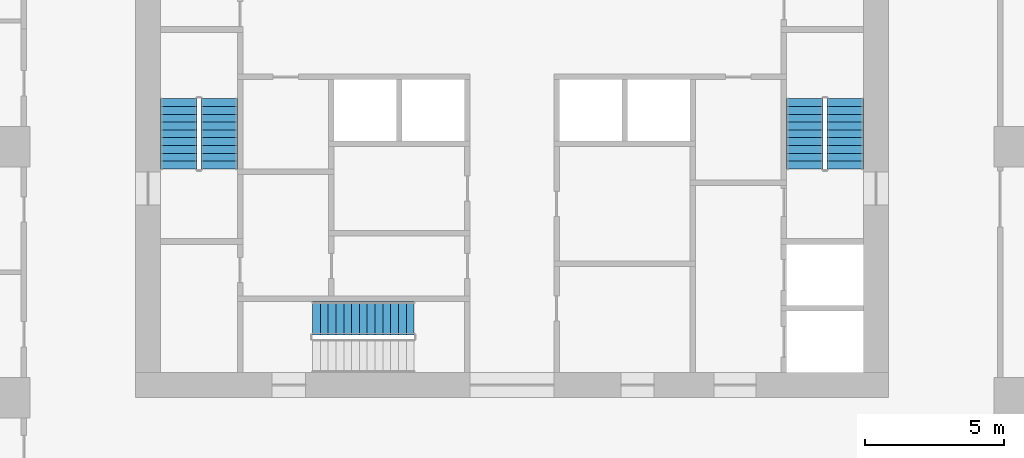
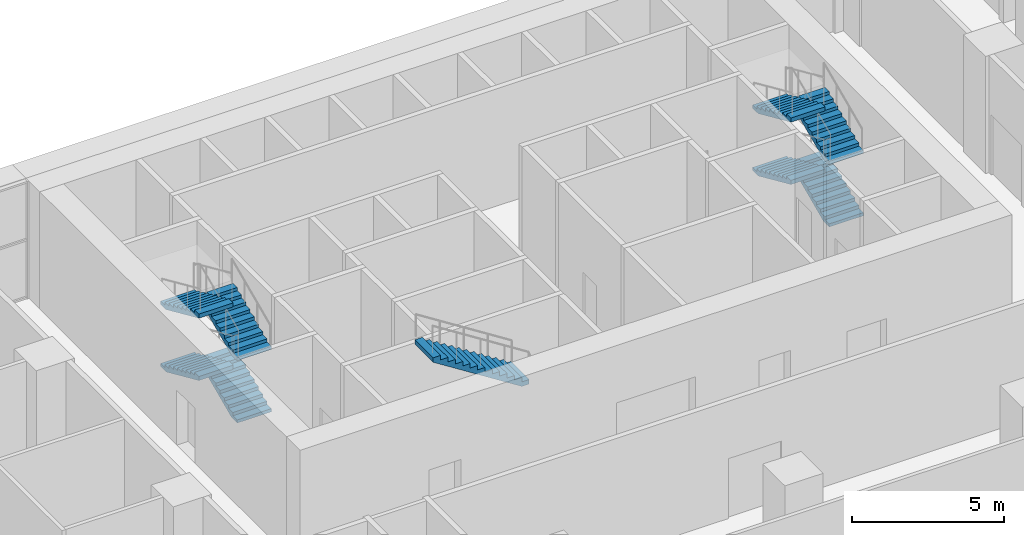
# One storey, part 10 of 18: 9 stair flights, 3 elements without a shape of their own.
"""IFC4 building model written with IfcOpenShell, lengths in metres."""

from ifc_helpers import new_model, si_unit, direction, frame, origin, place, context, subcontext, project, spatial, polyline, outline, extrude, material, type_object, element, aggregate, save


model = new_model("IFC4")

# Units and contexts
model_context = context("Model", 3, precision=1e-05, world=origin(), true_north=direction((0.0, 1.0)))
body_context = subcontext(model_context, "Body", "Model", "MODEL_VIEW")
ifc_project = project(units=[si_unit("LENGTHUNIT", "METRE"), si_unit("AREAUNIT", "SQUARE_METRE"), si_unit("VOLUMEUNIT", "CUBIC_METRE"), si_unit("PLANEANGLEUNIT", "RADIAN"), si_unit("MASSUNIT", "GRAM", prefix="KILO")], contexts=[model_context])

# Site, building, storey
site_placement = place(None, origin())
site = spatial("IfcSite", under=ifc_project, at=site_placement, CompositionType="ELEMENT")
building_placement = place(site_placement, origin())
building = spatial("IfcBuilding", under=site, at=building_placement, Name="Orbiselva Terraces", CompositionType="ELEMENT")
storey_placement = place(building_placement, frame((0.0, 0.0, 64.4)))
storey = spatial("IfcBuildingStorey", under=building, at=storey_placement, Name="L16", CompositionType="ELEMENT", Elevation=64.4)

# Stair, stair flight
ifc_material = material(Name="Concrete C40/50", Category="concrete")
stair_type_1 = type_object("IfcStairType", Name="CORE-STAIR-1200", PredefinedType="HALF_TURN_STAIR", material=ifc_material)
stair_1_placement = place(storey_placement, origin())
stair_1 = element("IfcStair", 1, at=stair_1_placement, inside=storey, type_object=stair_type_1, Name="L16 Exit Stair S3", PredefinedType="HALF_TURN_STAIR")
stair_flight_type_1 = type_object("IfcStairFlightType", Name="CORE-STAIR-FLIGHT-1200", PredefinedType="STRAIGHT", material=ifc_material)
stair_flight_1_placement = place(storey_placement, frame((-3.51, 7.35, 2.5), z_axis=(0.0, 0.0, 1.0), x_axis=(-1.0, 0.0, 0.0)))
stair_flight_1 = element("IfcStairFlight", 2, at=stair_flight_1_placement, type_object=stair_flight_type_1, Name="S3 flight 2", NumberOfRisers=14, NumberOfTreads=13, PredefinedType="STRAIGHT", RiserHeight=0.178571429, TreadLength=0.28, context=body_context, shape_type="SweptSolid", body=[
    extrude(outline(polyline([(0.0, 0.0), (0.0, 0.178571), (0.28, 0.178571), (0.28, 0.357143), (0.56, 0.357143), (0.56, 0.535714), (0.84, 0.535714), (0.84, 0.714286), (1.12, 0.714286), (1.12, 0.892857), (1.4, 0.892857), (1.4, 1.071429), (1.68, 1.071429), (1.68, 1.25), (1.96, 1.25), (1.96, 1.428571), (2.24, 1.428571), (2.24, 1.607143), (2.52, 1.607143), (2.52, 1.785714), (2.8, 1.785714), (2.8, 1.964286), (3.08, 1.964286), (3.08, 2.142857), (3.36, 2.142857), (3.36, 2.321429), (3.64, 2.321429), (3.64, 2.5), (3.64, 2.14352), (0.278961, 0.0), (0.0, 0.0)])), frame((0.0, 0.6, 0.0), z_axis=(0.0, -1.0, 0.0), x_axis=(1.0, 0.0, 0.0)), (0.0, 0.0, 1.0), 1.2),
])
aggregate(stair_1, [stair_flight_1])

# Stair, stair flights
stair_type_2 = type_object("IfcStairType", Name="CORE-STAIR-1300", PredefinedType="HALF_TURN_STAIR", material=ifc_material)
stair_2_placement = place(storey_placement, origin())
stair_2 = element("IfcStair", 3, at=stair_2_placement, inside=storey, type_object=stair_type_2, Name="L16 Exit Stair S1", PredefinedType="HALF_TURN_STAIR")
stair_flight_type_2 = type_object("IfcStairFlightType", Name="CORE-STAIR-FLIGHT-1300", PredefinedType="STRAIGHT", material=ifc_material)
stair_flight_2_placement = place(storey_placement, frame((-10.5, 12.7, 0.0), z_axis=(0.0, 0.0, 1.0), x_axis=(0.0, 1.0, 0.0)))
stair_flight_2 = element("IfcStairFlight", 4, at=stair_flight_2_placement, type_object=stair_flight_type_2, Name="S1 flight 1", NumberOfRisers=10, NumberOfTreads=9, PredefinedType="STRAIGHT", RiserHeight=0.125, TreadLength=0.28, context=body_context, shape_type="SweptSolid", body=[
    extrude(outline(polyline([(0.0, 0.0), (0.0, 0.125), (0.28, 0.125), (0.28, 0.25), (0.56, 0.25), (0.56, 0.375), (0.84, 0.375), (0.84, 0.5), (1.12, 0.5), (1.12, 0.625), (1.4, 0.625), (1.4, 0.75), (1.68, 0.75), (1.68, 0.875), (1.96, 0.875), (1.96, 1.0), (2.24, 1.0), (2.24, 1.125), (2.52, 1.125), (2.52, 1.25), (2.52, 0.960731), (0.367962, 0.0), (0.0, 0.0)])), frame((0.0, 0.65, 0.0), z_axis=(0.0, -1.0, 0.0), x_axis=(1.0, 0.0, 0.0)), (0.0, 0.0, 1.0), 1.3),
])
stair_flight_3_placement = place(storey_placement, frame((-11.95, 15.22, 1.25), z_axis=(0.0, 0.0, 1.0), x_axis=(0.0, -1.0, 0.0)))
stair_flight_3 = element("IfcStairFlight", 5, at=stair_flight_3_placement, type_object=stair_flight_type_2, Name="S1 flight 2", NumberOfRisers=10, NumberOfTreads=9, PredefinedType="STRAIGHT", RiserHeight=0.125, TreadLength=0.28, context=body_context, shape_type="SweptSolid", body=[
    extrude(outline(polyline([(0.0, 0.0), (0.0, 0.125), (0.28, 0.125), (0.28, 0.25), (0.56, 0.25), (0.56, 0.375), (0.84, 0.375), (0.84, 0.5), (1.12, 0.5), (1.12, 0.625), (1.4, 0.625), (1.4, 0.75), (1.68, 0.75), (1.68, 0.875), (1.96, 0.875), (1.96, 1.0), (2.24, 1.0), (2.24, 1.125), (2.52, 1.125), (2.52, 1.25), (2.52, 0.960731), (0.367962, 0.0), (0.0, 0.0)])), frame((0.0, 0.65, 0.0), z_axis=(0.0, -1.0, 0.0), x_axis=(1.0, 0.0, 0.0)), (0.0, 0.0, 1.0), 1.3),
])
stair_flight_4_placement = place(storey_placement, frame((-10.5, 12.7, 2.5), z_axis=(0.0, 0.0, 1.0), x_axis=(0.0, 1.0, 0.0)))
stair_flight_4 = element("IfcStairFlight", 6, at=stair_flight_4_placement, type_object=stair_flight_type_2, Name="S1 flight 3", NumberOfRisers=10, NumberOfTreads=9, PredefinedType="STRAIGHT", RiserHeight=0.125, TreadLength=0.28, context=body_context, shape_type="SweptSolid", body=[
    extrude(outline(polyline([(0.0, 0.0), (0.0, 0.125), (0.28, 0.125), (0.28, 0.25), (0.56, 0.25), (0.56, 0.375), (0.84, 0.375), (0.84, 0.5), (1.12, 0.5), (1.12, 0.625), (1.4, 0.625), (1.4, 0.75), (1.68, 0.75), (1.68, 0.875), (1.96, 0.875), (1.96, 1.0), (2.24, 1.0), (2.24, 1.125), (2.52, 1.125), (2.52, 1.25), (2.52, 0.960731), (0.367962, 0.0), (0.0, 0.0)])), frame((0.0, 0.65, 0.0), z_axis=(0.0, -1.0, 0.0), x_axis=(1.0, 0.0, 0.0)), (0.0, 0.0, 1.0), 1.3),
])
stair_flight_5_placement = place(storey_placement, frame((-11.95, 15.22, 3.75), z_axis=(0.0, 0.0, 1.0), x_axis=(0.0, -1.0, 0.0)))
stair_flight_5 = element("IfcStairFlight", 7, at=stair_flight_5_placement, type_object=stair_flight_type_2, Name="S1 flight 4", NumberOfRisers=10, NumberOfTreads=9, PredefinedType="STRAIGHT", RiserHeight=0.125, TreadLength=0.28, context=body_context, shape_type="SweptSolid", body=[
    extrude(outline(polyline([(0.0, 0.0), (0.0, 0.125), (0.28, 0.125), (0.28, 0.25), (0.56, 0.25), (0.56, 0.375), (0.84, 0.375), (0.84, 0.5), (1.12, 0.5), (1.12, 0.625), (1.4, 0.625), (1.4, 0.75), (1.68, 0.75), (1.68, 0.875), (1.96, 0.875), (1.96, 1.0), (2.24, 1.0), (2.24, 1.125), (2.52, 1.125), (2.52, 1.25), (2.52, 0.960731), (0.367962, 0.0), (0.0, 0.0)])), frame((0.0, 0.65, 0.0), z_axis=(0.0, -1.0, 0.0), x_axis=(1.0, 0.0, 0.0)), (0.0, 0.0, 1.0), 1.3),
])
aggregate(stair_2, [stair_flight_2, stair_flight_3, stair_flight_4, stair_flight_5])

stair_3_placement = place(storey_placement, origin())
stair_3 = element("IfcStair", 8, at=stair_3_placement, inside=storey, type_object=stair_type_2, Name="L16 Exit Stair S2", PredefinedType="HALF_TURN_STAIR")
stair_flight_6_placement = place(storey_placement, frame((11.95, 12.7, 0.0), z_axis=(0.0, 0.0, 1.0), x_axis=(0.0, 1.0, 0.0)))
stair_flight_6 = element("IfcStairFlight", 9, at=stair_flight_6_placement, type_object=stair_flight_type_2, Name="S2 flight 1", NumberOfRisers=10, NumberOfTreads=9, PredefinedType="STRAIGHT", RiserHeight=0.125, TreadLength=0.28, context=body_context, shape_type="SweptSolid", body=[
    extrude(outline(polyline([(0.0, 0.0), (0.0, 0.125), (0.28, 0.125), (0.28, 0.25), (0.56, 0.25), (0.56, 0.375), (0.84, 0.375), (0.84, 0.5), (1.12, 0.5), (1.12, 0.625), (1.4, 0.625), (1.4, 0.75), (1.68, 0.75), (1.68, 0.875), (1.96, 0.875), (1.96, 1.0), (2.24, 1.0), (2.24, 1.125), (2.52, 1.125), (2.52, 1.25), (2.52, 0.960731), (0.367962, 0.0), (0.0, 0.0)])), frame((0.0, 0.65, 0.0), z_axis=(0.0, -1.0, 0.0), x_axis=(1.0, 0.0, 0.0)), (0.0, 0.0, 1.0), 1.3),
])
stair_flight_7_placement = place(storey_placement, frame((10.5, 15.22, 1.25), z_axis=(0.0, 0.0, 1.0), x_axis=(0.0, -1.0, 0.0)))
stair_flight_7 = element("IfcStairFlight", 10, at=stair_flight_7_placement, type_object=stair_flight_type_2, Name="S2 flight 2", NumberOfRisers=10, NumberOfTreads=9, PredefinedType="STRAIGHT", RiserHeight=0.125, TreadLength=0.28, context=body_context, shape_type="SweptSolid", body=[
    extrude(outline(polyline([(0.0, 0.0), (0.0, 0.125), (0.28, 0.125), (0.28, 0.25), (0.56, 0.25), (0.56, 0.375), (0.84, 0.375), (0.84, 0.5), (1.12, 0.5), (1.12, 0.625), (1.4, 0.625), (1.4, 0.75), (1.68, 0.75), (1.68, 0.875), (1.96, 0.875), (1.96, 1.0), (2.24, 1.0), (2.24, 1.125), (2.52, 1.125), (2.52, 1.25), (2.52, 0.960731), (0.367962, 0.0), (0.0, 0.0)])), frame((0.0, 0.65, 0.0), z_axis=(0.0, -1.0, 0.0), x_axis=(1.0, 0.0, 0.0)), (0.0, 0.0, 1.0), 1.3),
])
stair_flight_8_placement = place(storey_placement, frame((11.95, 12.7, 2.5), z_axis=(0.0, 0.0, 1.0), x_axis=(0.0, 1.0, 0.0)))
stair_flight_8 = element("IfcStairFlight", 11, at=stair_flight_8_placement, type_object=stair_flight_type_2, Name="S2 flight 3", NumberOfRisers=10, NumberOfTreads=9, PredefinedType="STRAIGHT", RiserHeight=0.125, TreadLength=0.28, context=body_context, shape_type="SweptSolid", body=[
    extrude(outline(polyline([(0.0, 0.0), (0.0, 0.125), (0.28, 0.125), (0.28, 0.25), (0.56, 0.25), (0.56, 0.375), (0.84, 0.375), (0.84, 0.5), (1.12, 0.5), (1.12, 0.625), (1.4, 0.625), (1.4, 0.75), (1.68, 0.75), (1.68, 0.875), (1.96, 0.875), (1.96, 1.0), (2.24, 1.0), (2.24, 1.125), (2.52, 1.125), (2.52, 1.25), (2.52, 0.960731), (0.367962, 0.0), (0.0, 0.0)])), frame((0.0, 0.65, 0.0), z_axis=(0.0, -1.0, 0.0), x_axis=(1.0, 0.0, 0.0)), (0.0, 0.0, 1.0), 1.3),
])
stair_flight_9_placement = place(storey_placement, frame((10.5, 15.22, 3.75), z_axis=(0.0, 0.0, 1.0), x_axis=(0.0, -1.0, 0.0)))
stair_flight_9 = element("IfcStairFlight", 12, at=stair_flight_9_placement, type_object=stair_flight_type_2, Name="S2 flight 4", NumberOfRisers=10, NumberOfTreads=9, PredefinedType="STRAIGHT", RiserHeight=0.125, TreadLength=0.28, context=body_context, shape_type="SweptSolid", body=[
    extrude(outline(polyline([(0.0, 0.0), (0.0, 0.125), (0.28, 0.125), (0.28, 0.25), (0.56, 0.25), (0.56, 0.375), (0.84, 0.375), (0.84, 0.5), (1.12, 0.5), (1.12, 0.625), (1.4, 0.625), (1.4, 0.75), (1.68, 0.75), (1.68, 0.875), (1.96, 0.875), (1.96, 1.0), (2.24, 1.0), (2.24, 1.125), (2.52, 1.125), (2.52, 1.25), (2.52, 0.960731), (0.367962, 0.0), (0.0, 0.0)])), frame((0.0, 0.65, 0.0), z_axis=(0.0, -1.0, 0.0), x_axis=(1.0, 0.0, 0.0)), (0.0, 0.0, 1.0), 1.3),
])
aggregate(stair_3, [stair_flight_6, stair_flight_7, stair_flight_8, stair_flight_9])

save(model, "model.ifc")
